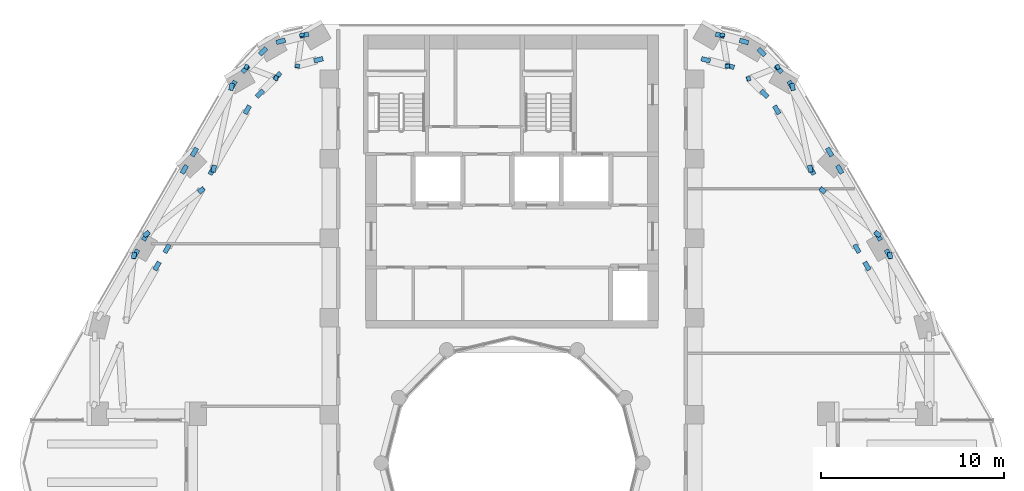
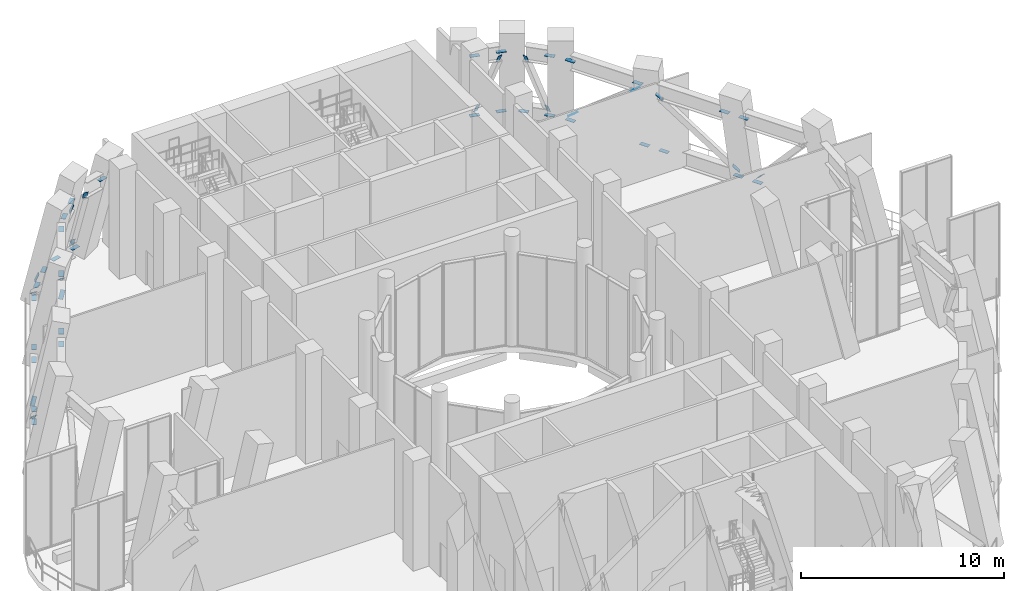
# One storey, part 14 of 19: 50 discrete accessories.
"""IFC4 building model written with IfcOpenShell, lengths in metres."""

from ifc_helpers import new_model, si_unit, direction, frame, origin, origin_2d, place, context, subcontext, project, spatial, rectangle, extrude, material, material_profile, profile_set, type_object, element, save


model = new_model("IFC4")

# Units and contexts
model_context = context("Model", 3, precision=1e-05, world=origin(), true_north=direction((0.0, 1.0)))
body_context = subcontext(model_context, "Body", "Model", "MODEL_VIEW")
ifc_project = project(units=[si_unit("LENGTHUNIT", "METRE"), si_unit("AREAUNIT", "SQUARE_METRE"), si_unit("VOLUMEUNIT", "CUBIC_METRE"), si_unit("PLANEANGLEUNIT", "RADIAN"), si_unit("MASSUNIT", "GRAM", prefix="KILO")], contexts=[model_context])

# Site, building, storey
site_placement = place(None, origin())
site = spatial("IfcSite", under=ifc_project, at=site_placement, CompositionType="ELEMENT")
building_placement = place(site_placement, origin())
building = spatial("IfcBuilding", under=site, at=building_placement, Name="Nakaniwa Court", CompositionType="ELEMENT")
storey_placement = place(building_placement, frame((0.0, 0.0, 170.10009765625)))
storey = spatial("IfcBuildingStorey", under=building, at=storey_placement, Name="S3", CompositionType="ELEMENT", Elevation=170.10009765625)

# Discrete accessories
ifc_material = material(Name="Steel Grade 350", Category="steel")
ifc_material_profile = material_profile(ifc_material, rectangle(XDim=0.25, YDim=0.02001953125, at=origin_2d()), Name="Truss end gusset plate 250x20")
ifc_profile_set = profile_set([ifc_material_profile], Name="Steel Grade 350")
discrete_accessory_type = type_object("IfcDiscreteAccessoryType", Name="Truss end gusset plate 250x20", PredefinedType="BRACKET", material=ifc_profile_set)
for number, where, z_axis, x_axis, name in (
    (1, (68.39697265625, 103.3427734375, 0.4580078125), (0.966445356824, 0.256872287867, 0.0), (-0.256872287867, 0.966445356824, 0.0), "Gusset plate GU-339"),
    (2, (67.597900390625, 103.1298828125, 0.4580078125), (-0.966445356824, -0.256872287867, 0.0), (0.256872287867, -0.966445356824, 0.0), "Gusset plate GU-340"),
    (3, (69.17626953125, 101.99267578125, 5.1318359375), (0.966324029977, 0.257328329357, 0.0), (-0.257328329357, 0.966324029977, 0.0), "Gusset plate GU-341"),
    (4, (68.49462890625, 103.311767578125, 1.053466796875), (0.056637134493, 0.394995187972, -0.916935677393), (-0.989875945493, 0.141935240639, 0.0), "Gusset plate GU-342"),
):
    element("IfcDiscreteAccessory", number, at=place(storey_placement, frame(where, z_axis=z_axis, x_axis=x_axis)), inside=storey, type_object=discrete_accessory_type, Name=name, PredefinedType="BRACKET", context=body_context, shape_type="SweptSolid", body=[
        extrude(rectangle(XDim=0.25, YDim=0.02001953125, at=origin_2d()), origin(), (0.0, 0.0, 1.0), 0.5),
    ])
discrete_accessory_1_placement = place(storey_placement, frame((68.279541015625, 101.81103515625, 4.536376953125), z_axis=(-0.056626208045, -0.395407142382, 0.916758781968), x_axis=(0.989900550543, -0.141763535633, 0.0)))
element("IfcDiscreteAccessory", 5, at=discrete_accessory_1_placement, inside=storey, type_object=discrete_accessory_type, Name="Gusset plate GU-343", PredefinedType="BRACKET", context=body_context, shape_type="SweptSolid", body=[
    extrude(rectangle(XDim=0.25, YDim=0.02001953125, at=origin_2d()), origin(), (0.0, 0.0, 1.0), 0.500244140625),
])
for number, where, z_axis, x_axis, name in (
    (6, (66.203857421875, 102.339599609375, 0.4580078125), (0.706129440801, 0.708082772587, 0.0), (-0.708082772587, 0.706129440801, 0.0), "Gusset plate GU-344"),
    (7, (65.598388671875, 101.732177734375, 0.4580078125), (-0.70588531772, -0.70832613832, 0.0), (0.70832613832, -0.70588531772, 0.0), "Gusset plate GU-345"),
    (8, (66.983154296875, 100.989501953125, 5.1318359375), (0.70588531772, 0.70832613832, 0.0), (-0.70832613832, 0.70588531772, 0.0), "Gusset plate GU-346"),
    (9, (66.377685546875, 100.382080078125, 5.1318359375), (-0.706129440801, -0.708082772587, 0.0), (0.708082772587, -0.706129440801, 0.0), "Gusset plate GU-347"),
):
    element("IfcDiscreteAccessory", number, at=place(storey_placement, frame(where, z_axis=z_axis, x_axis=x_axis)), inside=storey, type_object=discrete_accessory_type, Name=name, PredefinedType="BRACKET", context=body_context, shape_type="SweptSolid", body=[
        extrude(rectangle(XDim=0.25, YDim=0.02001953125, at=origin_2d()), origin(), (0.0, 0.0, 1.0), 0.5),
    ])
for number, where, z_axis, x_axis, name in (
    (10, (67.004638671875, 101.0888671875, 4.53662109375), (0.375580255546, -0.14261304892, 0.915751598373), (0.354984043011, 0.934872359848, 0.0), "Gusset plate GU-348"),
    (11, (65.576904296875, 101.6328125, 1.05322265625), (-0.375580255546, 0.14261304892, -0.915751598373), (-0.354984043011, -0.934872359848, 0.0), "Gusset plate GU-349"),
    (12, (64.617431640625, 100.456787109375, 0.4580078125), (0.500131122175, 0.865949687125, 0.0), (-0.865949687125, 0.500131122175, 0.0), "Gusset plate GU-350"),
):
    element("IfcDiscreteAccessory", number, at=place(storey_placement, frame(where, z_axis=z_axis, x_axis=x_axis)), inside=storey, type_object=discrete_accessory_type, Name=name, PredefinedType="BRACKET", context=body_context, shape_type="SweptSolid", body=[
        extrude(rectangle(XDim=0.25, YDim=0.02001953125, at=origin_2d()), origin(), (0.0, 0.0, 1.0), 0.499755859375),
    ])
for number, where, z_axis, x_axis, name in (
    (13, (62.75439453125, 97.22998046875, 0.4580078125), (-0.499919672301, -0.866071776036, 0.0), (0.866071776036, -0.499919672301, 0.0), "Gusset plate GU-351"),
    (14, (65.39697265625, 99.106689453125, 5.1318359375), (0.499919672301, 0.866071776036, 0.0), (-0.866071776036, 0.499919672301, 0.0), "Gusset plate GU-352"),
):
    element("IfcDiscreteAccessory", number, at=place(storey_placement, frame(where, z_axis=z_axis, x_axis=x_axis)), inside=storey, type_object=discrete_accessory_type, Name=name, PredefinedType="BRACKET", context=body_context, shape_type="SweptSolid", body=[
        extrude(rectangle(XDim=0.25, YDim=0.02001953125, at=origin_2d()), origin(), (0.0, 0.0, 1.0), 0.5),
    ])
discrete_accessory_2_placement = place(storey_placement, frame((63.728759765625, 96.21728515625, 5.1318359375), z_axis=(-0.500131122175, -0.865949687125, 0.0), x_axis=(0.865949687125, -0.500131122175, 0.0)))
element("IfcDiscreteAccessory", 15, at=discrete_accessory_2_placement, inside=storey, type_object=discrete_accessory_type, Name="Gusset plate GU-353", PredefinedType="BRACKET", context=body_context, shape_type="SweptSolid", body=[
    extrude(rectangle(XDim=0.25, YDim=0.02001953125, at=origin_2d()), origin(), (0.0, 0.0, 1.0), 0.499755859375),
])
for number, where, z_axis, x_axis, name in (
    (16, (64.618408203125, 100.38818359375, 1.012939453125), (0.16162961032, 0.745156451205, -0.647006748261), (-0.977274518132, 0.21197763139, 0.0), "Gusset plate GU-354"),
    (17, (63.72802734375, 96.285888671875, 4.576904296875), (-0.16162961032, -0.745156451205, 0.647006748261), (0.977274518132, -0.21197763139, 0.0), "Gusset plate GU-355"),
    (18, (61.95458984375, 95.84423828125, 0.4580078125), (0.499919672301, 0.866071776036, 0.0), (-0.866071776036, 0.499919672301, 0.0), "Gusset plate GU-356"),
):
    element("IfcDiscreteAccessory", number, at=place(storey_placement, frame(where, z_axis=z_axis, x_axis=x_axis)), inside=storey, type_object=discrete_accessory_type, Name=name, PredefinedType="BRACKET", context=body_context, shape_type="SweptSolid", body=[
        extrude(rectangle(XDim=0.25, YDim=0.02001953125, at=origin_2d()), origin(), (0.0, 0.0, 1.0), 0.5),
    ])
for number, where, z_axis, x_axis, name in (
    (19, (60.091552734375, 92.617431640625, 0.4580078125), (-0.500131122175, -0.865949687125, 0.0), (0.865949687125, -0.500131122175, 0.0), "Gusset plate GU-357"),
    (20, (61.2607421875, 91.9423828125, 5.1318359375), (-0.500131122175, -0.865949687125, 0.0), (0.865949687125, -0.500131122175, 0.0), "Gusset plate GU-358"),
):
    element("IfcDiscreteAccessory", number, at=place(storey_placement, frame(where, z_axis=z_axis, x_axis=x_axis)), inside=storey, type_object=discrete_accessory_type, Name=name, PredefinedType="BRACKET", context=body_context, shape_type="SweptSolid", body=[
        extrude(rectangle(XDim=0.25, YDim=0.02001953125, at=origin_2d()), origin(), (0.0, 0.0, 1.0), 0.499755859375),
    ])
for number, where, z_axis, x_axis, name in (
    (21, (62.87158203125, 94.8095703125, 4.56689453125), (0.547843333752, 0.43700515482, 0.713368191276), (-0.623589821408, 0.781751709072, 0.0), "Gusset plate GU-359"),
    (22, (60.148681640625, 92.6396484375, 1.02294921875), (-0.547960203667, -0.436610001852, -0.713520372155), (0.623163735952, -0.782091400154, 0.0), "Gusset plate GU-360"),
):
    element("IfcDiscreteAccessory", number, at=place(storey_placement, frame(where, z_axis=z_axis, x_axis=x_axis)), inside=storey, type_object=discrete_accessory_type, Name=name, PredefinedType="BRACKET", context=body_context, shape_type="SweptSolid", body=[
        extrude(rectangle(XDim=0.25, YDim=0.02001953125, at=origin_2d()), origin(), (0.0, 0.0, 1.0), 0.5),
    ])
discrete_accessory_3_placement = place(storey_placement, frame((59.29150390625, 91.23193359375, 0.4580078125), z_axis=(0.500131122175, 0.865949687125, 0.0), x_axis=(-0.865949687125, 0.500131122175, 0.0)))
element("IfcDiscreteAccessory", 23, at=discrete_accessory_3_placement, inside=storey, type_object=discrete_accessory_type, Name="Gusset plate GU-361", PredefinedType="BRACKET", context=body_context, shape_type="SweptSolid", body=[
    extrude(rectangle(XDim=0.25, YDim=0.02001953125, at=origin_2d()), origin(), (0.0, 0.0, 1.0), 0.499755859375),
])
for number, where, z_axis, x_axis, name in (
    (24, (60.460693359375, 90.556884765625, 5.1318359375), (0.499919672301, 0.866071776036, 0.0), (-0.866071776036, 0.499919672301, 0.0), "Gusset plate GU-363"),
    (25, (59.3046875, 91.175048828125, 1.02685546875), (0.079114871081, 0.668081133577, -0.739870553632), (-0.993061123194, 0.117599343536, 0.0), "Gusset plate GU-364"),
):
    element("IfcDiscreteAccessory", number, at=place(storey_placement, frame(where, z_axis=z_axis, x_axis=x_axis)), inside=storey, type_object=discrete_accessory_type, Name=name, PredefinedType="BRACKET", context=body_context, shape_type="SweptSolid", body=[
        extrude(rectangle(XDim=0.25, YDim=0.02001953125, at=origin_2d()), origin(), (0.0, 0.0, 1.0), 0.5),
    ])
discrete_accessory_4_placement = place(storey_placement, frame((100.70849609375, 91.23193359375, 0.4580078125), z_axis=(-0.500131122175, 0.865949687125, 0.0), x_axis=(-0.865949687125, -0.500131122175, 0.0)))
element("IfcDiscreteAccessory", 26, at=discrete_accessory_4_placement, inside=storey, type_object=discrete_accessory_type, Name="Gusset plate GU-425", PredefinedType="BRACKET", context=body_context, shape_type="SweptSolid", body=[
    extrude(rectangle(XDim=0.25, YDim=0.02001953125, at=origin_2d()), origin(), (0.0, 0.0, 1.0), 0.499755859375),
])
for number, where, z_axis, x_axis, name in (
    (27, (99.539306640625, 90.556884765625, 5.1318359375), (-0.499919672301, 0.866071776036, 0.0), (-0.866071776036, -0.499919672301, 0.0), "Gusset plate GU-426"),
    (28, (100.6953125, 91.175048828125, 1.02685546875), (-0.079114871081, 0.668081133577, -0.739870553632), (-0.993061123194, -0.117599343536, 0.0), "Gusset plate GU-428"),
):
    element("IfcDiscreteAccessory", number, at=place(storey_placement, frame(where, z_axis=z_axis, x_axis=x_axis)), inside=storey, type_object=discrete_accessory_type, Name=name, PredefinedType="BRACKET", context=body_context, shape_type="SweptSolid", body=[
        extrude(rectangle(XDim=0.25, YDim=0.02001953125, at=origin_2d()), origin(), (0.0, 0.0, 1.0), 0.5),
    ])
discrete_accessory_5_placement = place(storey_placement, frame((99.908447265625, 92.617431640625, 0.4580078125), z_axis=(0.500131122175, -0.865949687125, 0.0), x_axis=(0.865949687125, 0.500131122175, 0.0)))
element("IfcDiscreteAccessory", 29, at=discrete_accessory_5_placement, inside=storey, type_object=discrete_accessory_type, Name="Gusset plate GU-429", PredefinedType="BRACKET", context=body_context, shape_type="SweptSolid", body=[
    extrude(rectangle(XDim=0.25, YDim=0.02001953125, at=origin_2d()), origin(), (0.0, 0.0, 1.0), 0.499755859375),
])
discrete_accessory_6_placement = place(storey_placement, frame((98.04541015625, 95.84423828125, 0.4580078125), z_axis=(-0.499919672301, 0.866071776036, 0.0), x_axis=(-0.866071776036, -0.499919672301, 0.0)))
element("IfcDiscreteAccessory", 30, at=discrete_accessory_6_placement, inside=storey, type_object=discrete_accessory_type, Name="Gusset plate GU-430", PredefinedType="BRACKET", context=body_context, shape_type="SweptSolid", body=[
    extrude(rectangle(XDim=0.25, YDim=0.02001953125, at=origin_2d()), origin(), (0.0, 0.0, 1.0), 0.5),
])
discrete_accessory_7_placement = place(storey_placement, frame((98.7392578125, 91.9423828125, 5.1318359375), z_axis=(0.500131122175, -0.865949687125, 0.0), x_axis=(0.865949687125, 0.500131122175, 0.0)))
element("IfcDiscreteAccessory", 31, at=discrete_accessory_7_placement, inside=storey, type_object=discrete_accessory_type, Name="Gusset plate GU-431", PredefinedType="BRACKET", context=body_context, shape_type="SweptSolid", body=[
    extrude(rectangle(XDim=0.25, YDim=0.02001953125, at=origin_2d()), origin(), (0.0, 0.0, 1.0), 0.499755859375),
])
for number, where, z_axis, x_axis, name in (
    (32, (99.851318359375, 92.6396484375, 1.02294921875), (0.547960203667, -0.436610001852, -0.713520372155), (0.623163735952, 0.782091400154, 0.0), "Gusset plate GU-432"),
    (33, (97.12841796875, 94.8095703125, 4.56689453125), (-0.547843333752, 0.43700515482, 0.713368191276), (-0.623589821408, -0.781751709072, 0.0), "Gusset plate GU-433"),
    (34, (97.24560546875, 97.22998046875, 0.4580078125), (0.499919672301, -0.866071776036, 0.0), (0.866071776036, 0.499919672301, 0.0), "Gusset plate GU-434"),
):
    element("IfcDiscreteAccessory", number, at=place(storey_placement, frame(where, z_axis=z_axis, x_axis=x_axis)), inside=storey, type_object=discrete_accessory_type, Name=name, PredefinedType="BRACKET", context=body_context, shape_type="SweptSolid", body=[
        extrude(rectangle(XDim=0.25, YDim=0.02001953125, at=origin_2d()), origin(), (0.0, 0.0, 1.0), 0.5),
    ])
for number, where, z_axis, x_axis, name in (
    (35, (95.38525390625, 100.451904296875, 0.4580078125), (-0.500131122175, 0.865949687125, 0.0), (-0.865949687125, -0.500131122175, 0.0), "Gusset plate GU-435"),
    (36, (96.271240234375, 96.21728515625, 5.1318359375), (0.500131122175, -0.865949687125, 0.0), (0.865949687125, 0.500131122175, 0.0), "Gusset plate GU-436"),
):
    element("IfcDiscreteAccessory", number, at=place(storey_placement, frame(where, z_axis=z_axis, x_axis=x_axis)), inside=storey, type_object=discrete_accessory_type, Name=name, PredefinedType="BRACKET", context=body_context, shape_type="SweptSolid", body=[
        extrude(rectangle(XDim=0.25, YDim=0.02001953125, at=origin_2d()), origin(), (0.0, 0.0, 1.0), 0.499755859375),
    ])
for number, where, z_axis, x_axis, name in (
    (37, (94.60595703125, 99.101806640625, 5.1318359375), (-0.499919672301, 0.866071776036, 0.0), (-0.866071776036, -0.499919672301, 0.0), "Gusset plate GU-437"),
    (38, (96.27197265625, 96.285888671875, 4.576904296875), (0.161637318784, -0.744703659052, 0.647525935674), (0.97724571432, 0.212110381272, 0.0), "Gusset plate GU-438"),
    (39, (95.384521484375, 100.38330078125, 1.012939453125), (-0.161637318784, 0.744703659052, -0.647525935674), (-0.97724571432, -0.212110381272, 0.0), "Gusset plate GU-439"),
    (40, (94.413818359375, 101.719970703125, 0.4580078125), (0.70588531772, -0.70832613832, 0.0), (0.70832613832, 0.70588531772, 0.0), "Gusset plate GU-440"),
):
    element("IfcDiscreteAccessory", number, at=place(storey_placement, frame(where, z_axis=z_axis, x_axis=x_axis)), inside=storey, type_object=discrete_accessory_type, Name=name, PredefinedType="BRACKET", context=body_context, shape_type="SweptSolid", body=[
        extrude(rectangle(XDim=0.25, YDim=0.02001953125, at=origin_2d()), origin(), (0.0, 0.0, 1.0), 0.5),
    ])
for number, where, z_axis, x_axis, name in (
    (41, (93.830078125, 102.305419921875, 0.4580078125), (-0.705884473151, 0.708326979978, 0.0), (-0.708326979978, -0.705884473151, 0.0), "Gusset plate GU-441"),
    (42, (93.634521484375, 100.369873046875, 5.1318359375), (0.705884473151, -0.708326979978, 0.0), (0.708326979978, 0.705884473151, 0.0), "Gusset plate GU-442"),
):
    element("IfcDiscreteAccessory", number, at=place(storey_placement, frame(where, z_axis=z_axis, x_axis=x_axis)), inside=storey, type_object=discrete_accessory_type, Name=name, PredefinedType="BRACKET", context=body_context, shape_type="SweptSolid", body=[
        extrude(rectangle(XDim=0.25, YDim=0.02001953125, at=origin_2d()), origin(), (0.0, 0.0, 1.0), 0.499755859375),
    ])
for number, where, z_axis, x_axis, name in (
    (43, (94.435791015625, 101.61962890625, 1.053466796875), (0.370531004369, 0.148895858145, -0.916807939663), (-0.372865650931, 0.927885341169, 0.0), "Gusset plate GU-443"),
    (44, (93.02880859375, 101.0556640625, 4.536376953125), (-0.370531004369, -0.148895858145, 0.916807939663), (0.372865650931, -0.927885341169, 0.0), "Gusset plate GU-444"),
    (45, (92.44873046875, 103.117431640625, 0.4580078125), (0.966324029977, -0.257328329357, 0.0), (0.257328329357, 0.966324029977, 0.0), "Gusset plate GU-445"),
    (46, (91.61962890625, 103.33837890625, 0.4580078125), (-0.966324029977, 0.257328329357, 0.0), (-0.257328329357, -0.966324029977, 0.0), "Gusset plate GU-446"),
    (47, (91.669189453125, 101.767578125, 5.1318359375), (0.966324029977, -0.257328329357, 0.0), (0.257328329357, 0.966324029977, 0.0), "Gusset plate GU-447"),
):
    element("IfcDiscreteAccessory", number, at=place(storey_placement, frame(where, z_axis=z_axis, x_axis=x_axis)), inside=storey, type_object=discrete_accessory_type, Name=name, PredefinedType="BRACKET", context=body_context, shape_type="SweptSolid", body=[
        extrude(rectangle(XDim=0.25, YDim=0.02001953125, at=origin_2d()), origin(), (0.0, 0.0, 1.0), 0.5),
    ])
for number, where, z_axis, x_axis, name in (
    (48, (90.840087890625, 101.98828125, 5.1318359375), (-0.966291673618, 0.25744980384, 0.0), (-0.25744980384, -0.966291673618, 0.0), "Gusset plate GU-448"),
    (49, (91.76611328125, 101.798583984375, 4.53662109375), (0.06398142739, -0.396587168247, 0.915764705004), (0.987234954625, 0.159270663862, 0.0), "Gusset plate GU-449"),
    (50, (91.52294921875, 103.30712890625, 1.05322265625), (-0.06398142739, 0.396587168247, -0.915764705004), (-0.987234954625, -0.159270663862, 0.0), "Gusset plate GU-450"),
):
    element("IfcDiscreteAccessory", number, at=place(storey_placement, frame(where, z_axis=z_axis, x_axis=x_axis)), inside=storey, type_object=discrete_accessory_type, Name=name, PredefinedType="BRACKET", context=body_context, shape_type="SweptSolid", body=[
        extrude(rectangle(XDim=0.25, YDim=0.02001953125, at=origin_2d()), origin(), (0.0, 0.0, 1.0), 0.499755859375),
    ])

save(model, "model.ifc")
